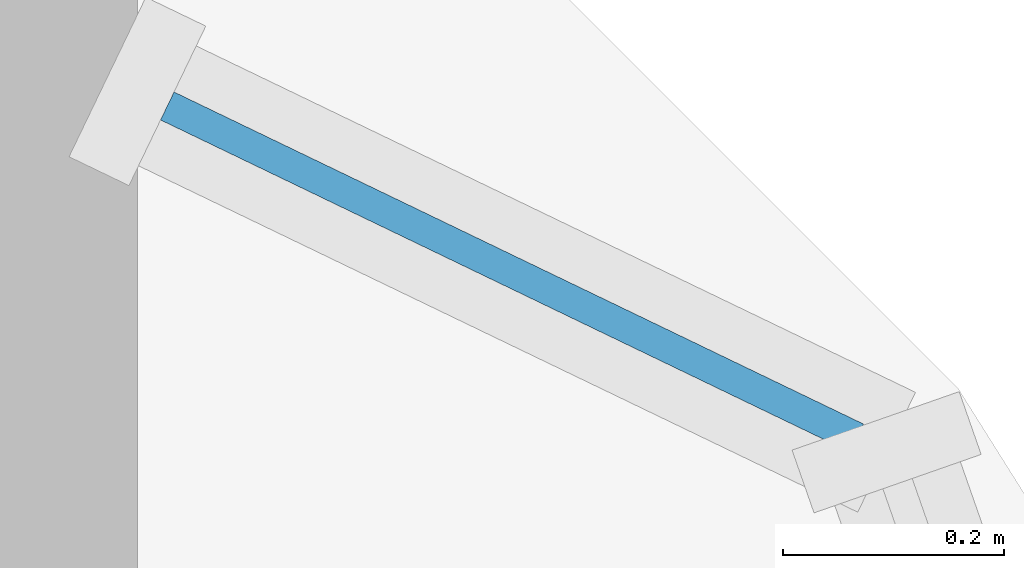
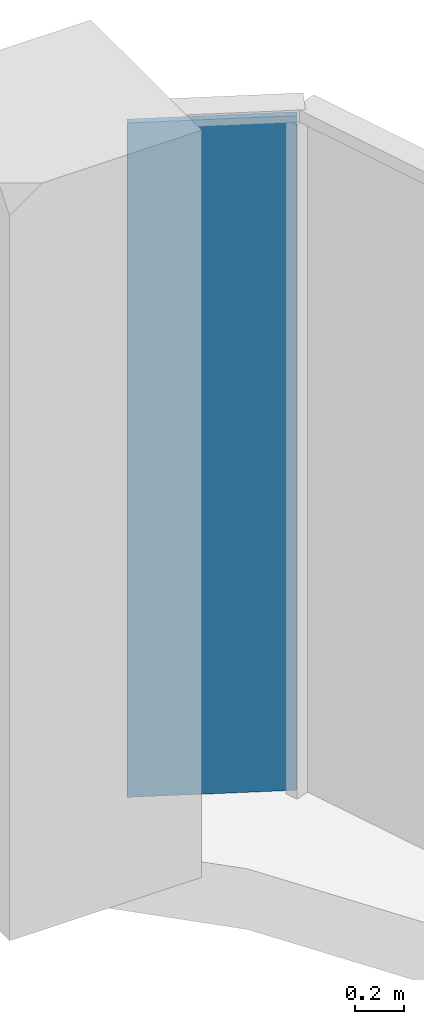
# One storey, part 11 of 20: 1 plate, 1 element without a shape of its own.
"""IFC4 building model written with IfcOpenShell, lengths in metres."""

from ifc_helpers import new_model, si_unit, direction, frame, origin, origin_2d, place, context, subcontext, project, spatial, rectangle, extrude, material, layer, layer_set, type_object, element, aggregate, save


model = new_model("IFC4")

# Units and contexts
model_context = context("Model", 3, precision=1e-05, world=origin(), true_north=direction((0.0, 1.0)))
body_context = subcontext(model_context, "Body", "Model", "MODEL_VIEW")
ifc_project = project(units=[si_unit("LENGTHUNIT", "METRE"), si_unit("AREAUNIT", "SQUARE_METRE"), si_unit("VOLUMEUNIT", "CUBIC_METRE"), si_unit("PLANEANGLEUNIT", "RADIAN"), si_unit("MASSUNIT", "GRAM", prefix="KILO")], contexts=[model_context])

# Site, building, storey
site_placement = place(None, origin())
site = spatial("IfcSite", under=ifc_project, at=site_placement, CompositionType="ELEMENT")
building_placement = place(site_placement, origin())
building = spatial("IfcBuilding", under=site, at=building_placement, Name="Ogive Portal Towers", CompositionType="ELEMENT")
storey_placement = place(building_placement, frame((0.0, 0.0, 210.60009765625)))
storey = spatial("IfcBuildingStorey", under=building, at=storey_placement, Name="L52", CompositionType="ELEMENT", Elevation=210.60009765625)

# Curtain wall, plate
ifc_material = material(Name="Glass, clear low-iron insulated glazing", Category="glass")
curtain_wall_type = type_object("IfcCurtainWallType", Name="CW FRONT RIBBON 4500", PredefinedType="NOTDEFINED", material=ifc_material)
curtain_wall_placement = place(storey_placement, origin())
curtain_wall = element("IfcCurtainWall", 1, at=curtain_wall_placement, inside=storey, type_object=curtain_wall_type, Name="A:L52:f09:cwa~0", PredefinedType="NOTDEFINED")
ifc_layer = layer(ifc_material, 0.028076171875)
ifc_layer_set = layer_set([ifc_layer], Name="CW PANEL IGU 28")
plate_type = type_object("IfcPlateType", Name="CW PANEL IGU 28", PredefinedType="CURTAIN_PANEL", material=ifc_layer_set)
plate_placement = place(storey_placement, frame((93.23828125, 37.502685546875, 0.0), z_axis=(0.0, 0.0, 1.0), x_axis=(-0.900968867905, 0.433883739113, 0.0)))
plate = element("IfcPlate", 2, at=plate_placement, type_object=plate_type, Name="panel", PredefinedType="CURTAIN_PANEL", context=body_context, shape_type="SweptSolid", body=[
    extrude(rectangle(XDim=0.691162109375, YDim=0.028076171875, at=origin_2d()), origin(), (0.0, 0.0, 1.0), 3.340087890625),
])
aggregate(curtain_wall, [plate])

save(model, "model.ifc")
